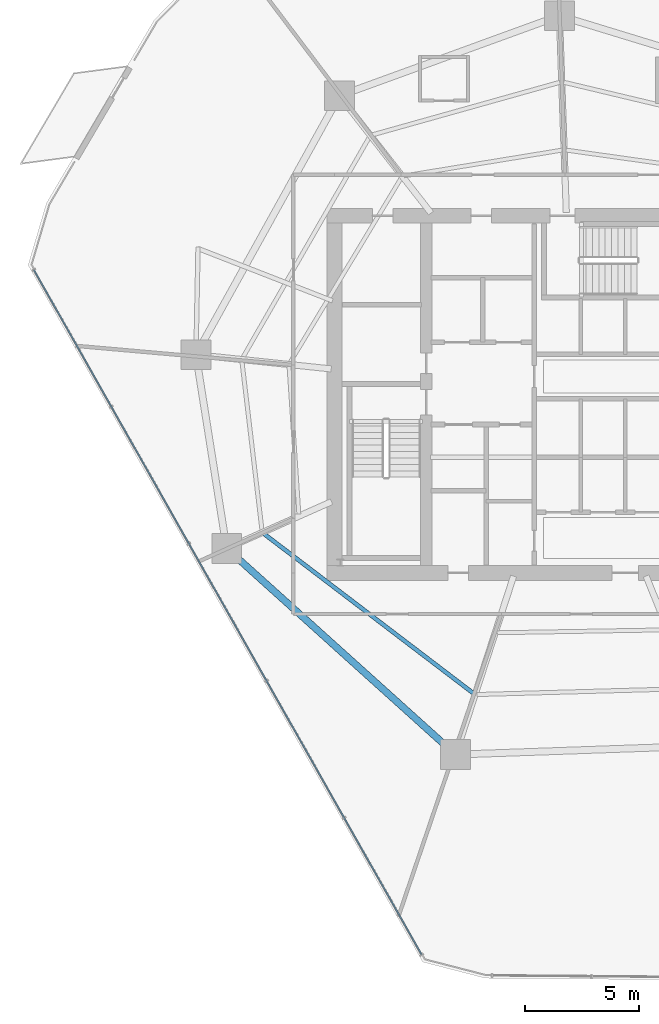
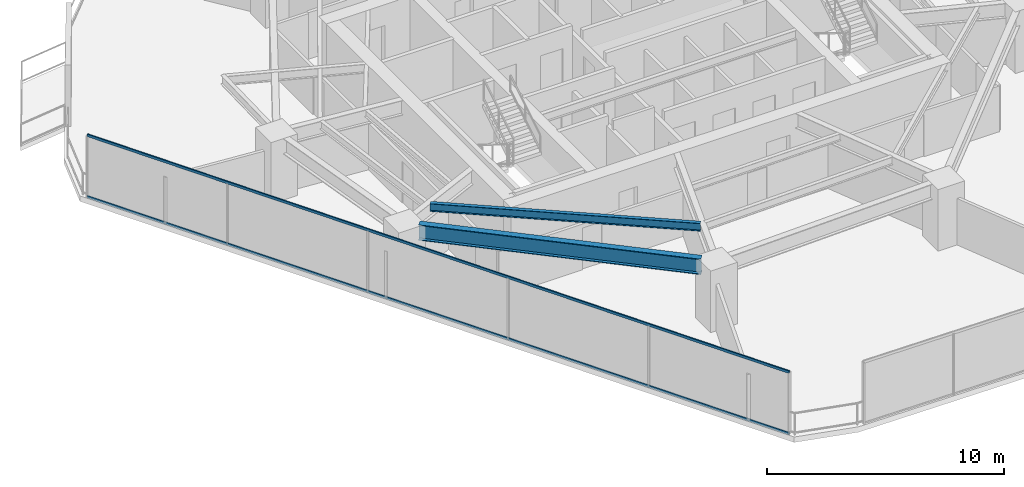
# One storey, part 4 of 31: 2 beams, 2 members, 1 element without a shape of its own.
"""IFC4 building model written with IfcOpenShell, lengths in metres."""

import ifcopenshell
import ifcopenshell.guid

model = None  # the IFC model being written
_history = None  # IfcOwnerHistory: only IFC2X3 demands one
_inside = {}  # id of a spatial element -> (the spatial element, [elements in it])
_under = {}  # id of a project, library or spatial element -> (it, [spatial elements below it])
_declared = {}  # id of a project -> (the project, [libraries it declares])
_typed = {}  # id of a type object -> (the type object, [elements of that type])
_made_of = {}  # id of a material, layer set ... -> (it, [elements and type objects made of it])


def new_model(schema):
    """Start an empty IFC model of exactly this schema.

    Asked for "IFC4X3", IfcOpenShell would pick the latest addendum, in which some entities
    have other attributes; the version numbers below select the first issue.
    IFC2X3 requires an IfcOwnerHistory on every rooted entity: one is made here for all.
    """
    global model, _history
    if schema == "IFC4X3":
        model = ifcopenshell.file(schema_version=(4, 3, 0, 0))
    else:
        model = ifcopenshell.file(schema=schema)
    _inside.clear()
    _under.clear()
    _declared.clear()
    _typed.clear()
    _made_of.clear()
    _history = None
    if model.schema == "IFC2X3":
        org = make("IfcOrganization", Name="unknown")
        user = make(
            "IfcPersonAndOrganization",
            ThePerson=make("IfcPerson", FamilyName="unknown"),
            TheOrganization=org,
        )
        app = make(
            "IfcApplication",
            ApplicationDeveloper=org,
            Version="unknown",
            ApplicationFullName="unknown",
            ApplicationIdentifier="unknown",
        )
        _history = make(
            "IfcOwnerHistory",
            OwningUser=user,
            OwningApplication=app,
            ChangeAction="ADDED",
            CreationDate=0,
        )
    return model


def make(cls, **values):
    """One entity of the class cls with the attributes given. An attribute that is None is left unset."""
    return model.create_entity(
        cls, **{name: value for name, value in values.items() if value is not None}
    )


def rooted(cls, **values):
    """An entity with a GlobalId (a new one), such as an element, a storey or a relation."""
    return make(cls, GlobalId=ifcopenshell.guid.new(), OwnerHistory=_history, **values)


def si_unit(unit_type, name, prefix=None):
    """IfcSIUnit, for example si_unit("LENGTHUNIT", "METRE", prefix="MILLI")."""
    return make("IfcSIUnit", UnitType=unit_type, Prefix=prefix, Name=name)


def assignment(units):
    """IfcUnitAssignment: the units of a project."""
    return None if units is None else make("IfcUnitAssignment", Units=units)


def point(xyz):
    """IfcCartesianPoint."""
    return None if xyz is None else make("IfcCartesianPoint", Coordinates=xyz)


def direction(xyz):
    """IfcDirection."""
    return None if xyz is None else make("IfcDirection", DirectionRatios=xyz)


def frame(location, z_axis=None, x_axis=None):
    """IfcAxis2Placement3D, a coordinate frame: its origin and axes. An axis left out is left unset."""
    return make(
        "IfcAxis2Placement3D",
        Location=point(location),
        Axis=direction(z_axis),
        RefDirection=direction(x_axis),
    )


def frame_2d(location, x_axis=None):
    """IfcAxis2Placement2D, a coordinate frame in the plane: its origin and x axis."""
    return make(
        "IfcAxis2Placement2D", Location=point(location), RefDirection=direction(x_axis)
    )


def origin():
    """The frame at (0, 0, 0) with its axes left unset."""
    return frame((0.0, 0.0, 0.0))


def origin_2d():
    """The frame at (0, 0) in the plane with its x axis left unset."""
    return frame_2d((0.0, 0.0))


def place(relative_to, where):
    """IfcLocalPlacement: puts the frame where relative to a parent placement (None: the world)."""
    return make(
        "IfcLocalPlacement", PlacementRelTo=relative_to, RelativePlacement=where
    )


def context(
    kind, dimensions, precision=None, world=None, true_north=None, identifier=None
):
    """IfcGeometricRepresentationContext, for example the 3D "Model" context."""
    return make(
        "IfcGeometricRepresentationContext",
        ContextIdentifier=identifier,
        ContextType=kind,
        CoordinateSpaceDimension=dimensions,
        Precision=precision,
        WorldCoordinateSystem=world,
        TrueNorth=true_north,
    )


def subcontext(parent, identifier, kind, view, scale=None):
    """IfcGeometricRepresentationSubContext, for example "Body" below "Model"."""
    return make(
        "IfcGeometricRepresentationSubContext",
        ContextIdentifier=identifier,
        ContextType=kind,
        ParentContext=parent,
        TargetScale=scale,
        TargetView=view,
    )


def project(units=None, contexts=None):
    """IfcProject with its units and contexts."""
    return rooted(
        "IfcProject",
        Name="project",
        RepresentationContexts=contexts,
        UnitsInContext=assignment(units),
    )


def spatial(cls, under=None, at=None, **own):
    """A site, building, storey or space (cls), placed at a placement, below another one or the project."""
    s = rooted(cls, ObjectPlacement=at, **own)
    if under is not None:
        _under.setdefault(under.id(), (under, []))[1].append(s)
    return s


def profile(cls, at=None, kind="AREA", **sizes):
    """A parametric profile (cls). Its sizes go by their IFC names, for example OverallWidth=200.0."""
    return make(cls, ProfileType=kind, Position=at, **sizes)


def hollow_rectangle(**sizes):
    """IfcRectangleHollowProfileDef."""
    return profile("IfcRectangleHollowProfileDef", **sizes)


def i_section(**sizes):
    """IfcIShapeProfileDef."""
    return profile("IfcIShapeProfileDef", **sizes)


def extrude(swept, where, along, depth):
    """IfcExtrudedAreaSolid: the profile swept, set in the frame where, extruded along a direction by depth."""
    return make(
        "IfcExtrudedAreaSolid",
        SweptArea=swept,
        Position=where,
        ExtrudedDirection=direction(along),
        Depth=depth,
    )


def shape(context_of_items, identifier, shape_type, items):
    """IfcShapeRepresentation: the items that make up one representation, for example the "Body"."""
    return make(
        "IfcShapeRepresentation",
        ContextOfItems=context_of_items,
        RepresentationIdentifier=identifier,
        RepresentationType=shape_type,
        Items=items,
    )


def material(Name=None, Category=None):
    """IfcMaterial."""
    return make("IfcMaterial", Name=Name, Category=Category)


def layer(
    of_material, thickness, ventilated=None, Name=None, Category=None, Priority=None
):
    """IfcMaterialLayer: one layer of a wall or slab, of a material (None: an air gap)."""
    return make(
        "IfcMaterialLayer",
        Material=of_material,
        LayerThickness=thickness,
        IsVentilated=ventilated,
        Name=Name,
        Category=Category,
        Priority=Priority,
    )


def layer_set(layers, Name=None):
    """IfcMaterialLayerSet."""
    return make("IfcMaterialLayerSet", MaterialLayers=layers, LayerSetName=Name)


def material_profile(
    of_material, cross_section, Name=None, Category=None, Priority=None
):
    """IfcMaterialProfile: a cross section and its material."""
    return make(
        "IfcMaterialProfile",
        Name=Name,
        Material=of_material,
        Profile=cross_section,
        Priority=Priority,
        Category=Category,
    )


def profile_set(profiles, Name=None, composite=None):
    """IfcMaterialProfileSet."""
    return make(
        "IfcMaterialProfileSet",
        Name=Name,
        MaterialProfiles=profiles,
        CompositeProfile=composite,
    )


def made_of(thing, what):
    """Note that an element or type object is made of a material, layer set ...; save() writes the relation."""
    if what is not None:
        _made_of.setdefault(what.id(), (what, []))[1].append(thing)
    return thing


def type_object(cls, material=None, **own):
    """A type object (cls), such as IfcWallType, which elements share."""
    return made_of(rooted(cls, **own), material)


def element(
    cls,
    number,
    at=None,
    inside=None,
    cuts=None,
    type_object=None,
    material=None,
    context=None,
    identifier="Body",
    shape_type=None,
    held_by="IfcProductDefinitionShape",
    body=None,
    shapes=None,
    **own,
):
    """One element of the class cls, such as IfcWall. Its Tag is "e" and its number.

    at: its placement. inside: the storey or other place that contains it. cuts: it is an
    opening in that element (IfcRelVoidsElement). A single representation is given by context,
    identifier, shape_type and body (its items); several are given by shapes. held_by: the class
    of the entity that holds the representations. save() writes the other relations.
    """
    e = rooted(cls, Tag="e%d" % number, ObjectPlacement=at, **own)
    if body is not None:
        shapes = [shape(context, identifier, shape_type, body)]
    if shapes is not None:
        e.Representation = make(held_by, Representations=shapes)
    if inside is not None:
        _inside.setdefault(inside.id(), (inside, []))[1].append(e)
    if cuts is not None:
        rooted(
            "IfcRelVoidsElement", RelatingBuildingElement=cuts, RelatedOpeningElement=e
        )
    if type_object is not None:
        _typed.setdefault(type_object.id(), (type_object, []))[1].append(e)
    return made_of(e, material)


def aggregate(whole, parts):
    """IfcRelAggregates: a whole, such as a stair, and the parts it consists of."""
    return rooted("IfcRelAggregates", RelatingObject=whole, RelatedObjects=parts)


def save(model, path):
    """Write the relations noted so far, then the file.

    IfcRelAggregates (storeys below a building ...), IfcRelContainedInSpatialStructure (elements
    in a storey), IfcRelDefinesByType, IfcRelAssociatesMaterial and IfcRelDeclares: one each for
    every whole, place, type object, material and project.
    """
    for whole, parts in _under.values():
        aggregate(whole, parts)
    for where, things in _inside.values():
        rooted(
            "IfcRelContainedInSpatialStructure",
            RelatedElements=things,
            RelatingStructure=where,
        )
    for kind, things in _typed.values():
        rooted("IfcRelDefinesByType", RelatedObjects=things, RelatingType=kind)
    for what, things in _made_of.values():
        rooted("IfcRelAssociatesMaterial", RelatedObjects=things, RelatingMaterial=what)
    for by, libraries in _declared.values():
        rooted("IfcRelDeclares", RelatingContext=by, RelatedDefinitions=libraries)
    model.write(path)


model = new_model("IFC4")

# Units and contexts
model_context = context("Model", 3, precision=1e-05, world=origin(), true_north=direction((0.0, 1.0)))
body_context = subcontext(model_context, "Body", "Model", "MODEL_VIEW")
ifc_project = project(units=[si_unit("LENGTHUNIT", "METRE"), si_unit("AREAUNIT", "SQUARE_METRE"), si_unit("VOLUMEUNIT", "CUBIC_METRE"), si_unit("PLANEANGLEUNIT", "RADIAN"), si_unit("MASSUNIT", "GRAM", prefix="KILO")], contexts=[model_context])

# Site, building, storey
site_placement = place(None, origin())
site = spatial("IfcSite", under=ifc_project, at=site_placement, CompositionType="ELEMENT")
building_placement = place(site_placement, origin())
building = spatial("IfcBuilding", under=site, at=building_placement, Name="Qarnah Convention Tower", CompositionType="ELEMENT")
storey_placement = place(building_placement, frame((0.0, 0.0, 64.949951171875)))
storey = spatial("IfcBuildingStorey", under=building, at=storey_placement, Name="L16", CompositionType="ELEMENT", Elevation=64.949951171875)

# Beams
ifc_material_1 = material(Name="Structural steel S355JR", Category="steel")
ifc_material_profile_1 = material_profile(ifc_material_1, i_section(OverallWidth=0.177978515625, OverallDepth=0.407958984375, WebThickness=0.008056640625, FlangeThickness=0.012939453125, at=origin_2d()), Name="W410X60")
ifc_profile_set_1 = profile_set([ifc_material_profile_1], Name="Structural steel S355JR")
beam_type_1 = type_object("IfcBeamType", Name="BM-JST-W410", PredefinedType="JOIST", material=ifc_profile_set_1)
beam_1_placement = place(storey_placement, frame((23.7099609375, 20.306884765625, 2.966064453125), z_axis=(0.795571473593, -0.60585974483, 0.0), x_axis=(0.60585974483, 0.795571473593, 0.0)))
element("IfcBeam", 1, at=beam_1_placement, inside=storey, type_object=beam_type_1, Name="L16 joist BM-L16-SJST-06", PredefinedType="JOIST", context=body_context, shape_type="SweptSolid", body=[
    extrude(i_section(OverallWidth=0.177978515625, OverallDepth=0.407958984375, WebThickness=0.008056640625, FlangeThickness=0.012939453125, at=origin_2d()), origin(), (0.0, 0.0, 1.0), 11.507568359375),
])
ifc_material_profile_2 = material_profile(ifc_material_1, i_section(OverallWidth=0.300048828125, OverallDepth=0.800048828125, WebThickness=0.01806640625, FlangeThickness=0.032958984375, at=origin_2d()), Name="HEB800")
ifc_profile_set_2 = profile_set([ifc_material_profile_2], Name="Structural steel S355JR")
beam_type_2 = type_object("IfcBeamType", Name="BM-RING-HEB800", PredefinedType="BEAM", material=ifc_profile_set_2)
beam_2_placement = place(storey_placement, frame((22.556884765625, 19.240966796875, 2.77001953125), z_axis=(0.743082870291, -0.669199408159, 0.0), x_axis=(0.669199408159, 0.743082870291, 0.0)))
element("IfcBeam", 2, at=beam_2_placement, inside=storey, type_object=beam_type_2, Name="L16 beam BM-L16-SPN-06", PredefinedType="BEAM", context=body_context, shape_type="SweptSolid", body=[
    extrude(i_section(OverallWidth=0.300048828125, OverallDepth=0.800048828125, WebThickness=0.01806640625, FlangeThickness=0.032958984375, at=origin_2d()), origin(), (0.0, 0.0, 1.0), 12.183349609375),
])

# Curtain wall, members
ifc_material_2 = material(Name="Tempered Low-E dark glass", Category="glass")
ifc_layer = layer(ifc_material_2, 0.16796875)
ifc_layer_set = layer_set([ifc_layer], Name="Tempered Low-E dark glass")
curtain_wall_type = type_object("IfcCurtainWallType", Name="CWS-01", PredefinedType="NOTDEFINED", material=ifc_layer_set)
curtain_wall_placement = place(storey_placement, origin())
curtain_wall = element("IfcCurtainWall", 3, at=curtain_wall_placement, inside=storey, type_object=curtain_wall_type, Name="L16 unitised curtain wall CW-L16-F3", PredefinedType="NOTDEFINED")
ifc_material_3 = material(Name="Black anodised aluminium", Category="aluminium")
ifc_material_profile_3 = material_profile(ifc_material_3, hollow_rectangle(XDim=0.06005859375, YDim=0.1298828125, WallThickness=0.00390625, at=origin_2d()), Name="TRN-60X130")
ifc_profile_set_3 = profile_set([ifc_material_profile_3], Name="Black anodised aluminium")
member_type = type_object("IfcMemberType", Name="TRN-T1", PredefinedType="USERDEFINED", material=ifc_profile_set_3)
member_1_placement = place(storey_placement, frame((30.60595703125, 1.9130859375, 0.0), z_axis=(-0.492729763801, 0.870182383104, 0.0), x_axis=(-0.870182383104, -0.492729763801, 0.0)))
member_1 = element("IfcMember", 4, at=member_1_placement, type_object=member_type, Name="CW-L16-F3 transom 1", ObjectType="TRANSOM", PredefinedType="USERDEFINED", context=body_context, shape_type="SweptSolid", body=[
    extrude(hollow_rectangle(XDim=0.06005859375, YDim=0.1298828125, WallThickness=0.00390625, at=origin_2d()), origin(), (0.0, 0.0, 1.0), 34.396240234375),
])
member_2_placement = place(storey_placement, frame((30.60595703125, 1.9130859375, 3.170166015625), z_axis=(-0.492729763801, 0.870182383104, 0.0), x_axis=(-0.870182383104, -0.492729763801, 0.0)))
member_2 = element("IfcMember", 5, at=member_2_placement, type_object=member_type, Name="CW-L16-F3 transom 2", ObjectType="TRANSOM", PredefinedType="USERDEFINED", context=body_context, shape_type="SweptSolid", body=[
    extrude(hollow_rectangle(XDim=0.06005859375, YDim=0.1298828125, WallThickness=0.00390625, at=origin_2d()), origin(), (0.0, 0.0, 1.0), 34.396240234375),
])
aggregate(curtain_wall, [member_1, member_2])

save(model, "model.ifc")
